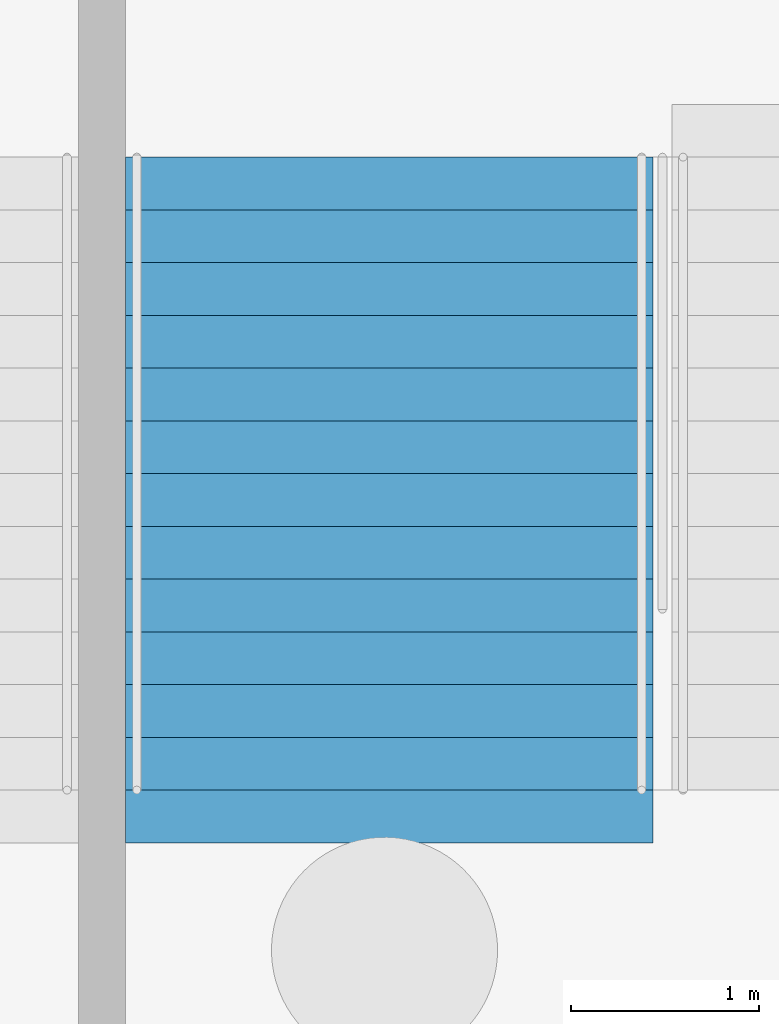
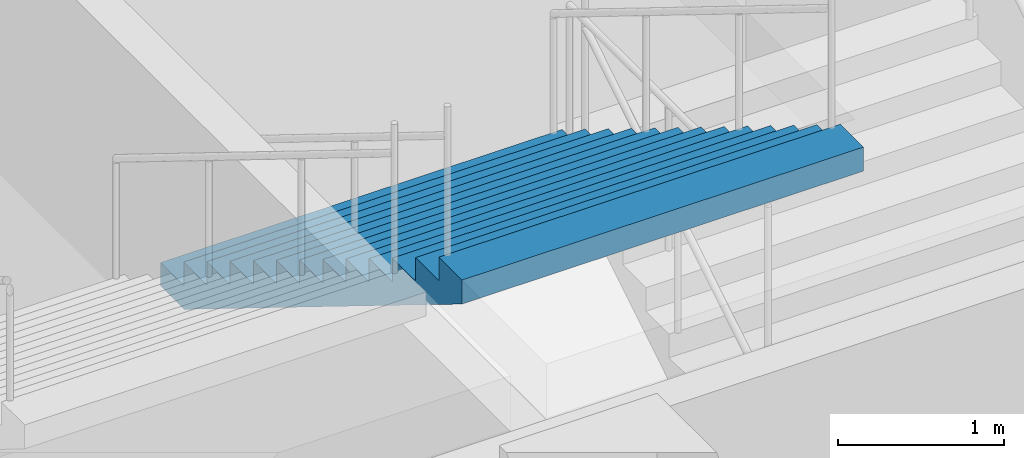
# One storey, part 100 of 115: 1 stair flight, 1 element without a shape of its own.
"""IFC4 building model written with IfcOpenShell, lengths in metres."""

from ifc_helpers import new_model, si_unit, direction, frame, origin, place, context, subcontext, project, spatial, faceted_brep, material, type_object, element, aggregate, save


model = new_model("IFC4")

# Units and contexts
model_context = context("Model", 3, precision=1e-05, world=origin(), true_north=direction((0.0, 1.0)))
body_context = subcontext(model_context, "Body", "Model", "MODEL_VIEW")
ifc_project = project(units=[si_unit("LENGTHUNIT", "METRE"), si_unit("AREAUNIT", "SQUARE_METRE"), si_unit("VOLUMEUNIT", "CUBIC_METRE"), si_unit("PLANEANGLEUNIT", "RADIAN"), si_unit("MASSUNIT", "GRAM", prefix="KILO")], contexts=[model_context])

# Site, building, storey
site_placement = place(None, origin())
site = spatial("IfcSite", under=ifc_project, at=site_placement, CompositionType="ELEMENT")
building_placement = place(site_placement, origin())
building = spatial("IfcBuilding", under=site, at=building_placement, Name="Ogive Plaza Stadium", CompositionType="ELEMENT")
storey_placement = place(building_placement, frame((0.0, 0.0, -4.5)))
storey = spatial("IfcBuildingStorey", under=building, at=storey_placement, Name="B1", CompositionType="ELEMENT", Elevation=-4.5)

# Stair, stair flight
ifc_material_1 = material(Name="Concrete C40/50", Category="concrete")
stair_type = type_object("IfcStairType", Name="Exit stair", PredefinedType="STRAIGHT_RUN_STAIR", material=ifc_material_1)
stair_placement = place(storey_placement, origin())
stair = element("IfcStair", 1, at=stair_placement, inside=storey, type_object=stair_type, Name="Exit stair ST32A B1 to L00", PredefinedType="STRAIGHT_RUN_STAIR")
ifc_material_2 = material(Name="Concrete C40/50", Category="concrete")
stair_flight_type = type_object("IfcStairFlightType", Name="Exit stair flight", PredefinedType="STRAIGHT", material=ifc_material_2)
stair_flight_placement = place(storey_placement, frame((-32.47509765625, 98.2099609375, 2.25), z_axis=(0.0, 0.0, 1.0), x_axis=(0.0, -1.0, 0.0)))
stair_flight = element("IfcStairFlight", 2, at=stair_flight_placement, type_object=stair_flight_type, Name="ST32A flight 2", NumberOfRisers=13, NumberOfTreads=12, PredefinedType="STRAIGHT", RiserHeight=0.173076923, TreadLength=0.28, context=body_context, shape_type="Brep", body=[
    faceted_brep([(0.28515625, -1.39990234375, 0.0), (3.639892578125, -1.39990234375, 2.07373046875), (3.639892578125, -1.39990234375, 2.25), (3.360107421875, -1.39990234375, 2.25), (3.360107421875, -1.39990234375, 2.076904296875), (3.080078125, -1.39990234375, 2.076904296875), (3.080078125, -1.39990234375, 1.90380859375), (2.800048828125, -1.39990234375, 1.90380859375), (2.800048828125, -1.39990234375, 1.730712890625), (2.52001953125, -1.39990234375, 1.730712890625), (2.52001953125, -1.39990234375, 1.5576171875), (2.239990234375, -1.39990234375, 1.5576171875), (2.239990234375, -1.39990234375, 1.384521484375), (1.9599609375, -1.39990234375, 1.384521484375), (1.9599609375, -1.39990234375, 1.21142578125), (1.679931640625, -1.39990234375, 1.21142578125), (1.679931640625, -1.39990234375, 1.03857421875), (1.39990234375, -1.39990234375, 1.03857421875), (1.39990234375, -1.39990234375, 0.865478515625), (1.1201171875, -1.39990234375, 0.865478515625), (1.1201171875, -1.39990234375, 0.6923828125), (0.840087890625, -1.39990234375, 0.6923828125), (0.840087890625, -1.39990234375, 0.519287109375), (0.56005859375, -1.39990234375, 0.519287109375), (0.56005859375, -1.39990234375, 0.34619140625), (0.280029296875, -1.39990234375, 0.34619140625), (0.280029296875, -1.39990234375, 0.173095703125), (0.0, -1.39990234375, 0.173095703125), (0.0, -1.39990234375, 0.0), (0.0, 1.39990234375, 0.0), (0.0, 1.39990234375, 0.173095703125), (0.280029296875, 1.39990234375, 0.173095703125), (0.280029296875, 1.39990234375, 0.34619140625), (0.56005859375, 1.39990234375, 0.34619140625), (0.56005859375, 1.39990234375, 0.519287109375), (0.840087890625, 1.39990234375, 0.519287109375), (0.840087890625, 1.39990234375, 0.6923828125), (1.1201171875, 1.39990234375, 0.6923828125), (1.1201171875, 1.39990234375, 0.865478515625), (1.39990234375, 1.39990234375, 0.865478515625), (1.39990234375, 1.39990234375, 1.03857421875), (1.679931640625, 1.39990234375, 1.03857421875), (1.679931640625, 1.39990234375, 1.21142578125), (1.9599609375, 1.39990234375, 1.21142578125), (1.9599609375, 1.39990234375, 1.384521484375), (2.239990234375, 1.39990234375, 1.384521484375), (2.239990234375, 1.39990234375, 1.5576171875), (2.52001953125, 1.39990234375, 1.5576171875), (2.52001953125, 1.39990234375, 1.730712890625), (2.800048828125, 1.39990234375, 1.730712890625), (2.800048828125, 1.39990234375, 1.90380859375), (3.080078125, 1.39990234375, 1.90380859375), (3.080078125, 1.39990234375, 2.076904296875), (3.360107421875, 1.39990234375, 2.076904296875), (3.360107421875, 1.39990234375, 2.25), (3.639892578125, 1.39990234375, 2.25), (3.639892578125, 1.39990234375, 2.07373046875), (0.28515625, 1.39990234375, 0.0), (0.28515625, -1.0888671875, 0.0), (3.639892578125, -1.0888671875, 2.07373046875), (0.28515625, -0.77783203125, 0.0), (3.639892578125, -0.77783203125, 2.07373046875), (0.28515625, -0.466796875, 0.0), (3.639892578125, -0.466796875, 2.07373046875), (0.28515625, -0.155517578125, 0.0), (3.639892578125, -0.155517578125, 2.07373046875), (0.28515625, 0.155517578125, 0.0), (3.639892578125, 0.155517578125, 2.07373046875), (0.28515625, 0.466796875, 0.0), (3.639892578125, 0.466796875, 2.07373046875), (0.28515625, 0.77783203125, 0.0), (3.639892578125, 0.77783203125, 2.07373046875), (0.28515625, 1.0888671875, 0.0), (3.639892578125, 1.0888671875, 2.07373046875), (3.639892578125, -1.0888671875, 2.25), (3.639892578125, -0.77783203125, 2.25), (3.639892578125, -0.466796875, 2.25), (3.639892578125, -0.155517578125, 2.25), (3.639892578125, 0.155517578125, 2.25), (3.639892578125, 0.466796875, 2.25), (3.639892578125, 0.77783203125, 2.25), (3.639892578125, 1.0888671875, 2.25), (3.360107421875, -1.0888671875, 2.25), (3.360107421875, -0.77783203125, 2.25), (3.360107421875, -0.466796875, 2.25), (3.360107421875, -0.155517578125, 2.25), (3.360107421875, 0.155517578125, 2.25), (3.360107421875, 0.466796875, 2.25), (3.360107421875, 0.77783203125, 2.25), (3.360107421875, 1.0888671875, 2.25), (3.360107421875, -1.0888671875, 2.076904296875), (3.360107421875, -0.77783203125, 2.076904296875), (3.360107421875, -0.466796875, 2.076904296875), (3.360107421875, -0.155517578125, 2.076904296875), (3.360107421875, 0.155517578125, 2.076904296875), (3.360107421875, 0.466796875, 2.076904296875), (3.360107421875, 0.77783203125, 2.076904296875), (3.360107421875, 1.0888671875, 2.076904296875), (3.080078125, -1.0888671875, 2.076904296875), (3.080078125, -0.77783203125, 2.076904296875), (3.080078125, -0.466796875, 2.076904296875), (3.080078125, -0.155517578125, 2.076904296875), (3.080078125, 0.155517578125, 2.076904296875), (3.080078125, 0.466796875, 2.076904296875), (3.080078125, 0.77783203125, 2.076904296875), (3.080078125, 1.0888671875, 2.076904296875), (3.080078125, -1.0888671875, 1.90380859375), (3.080078125, -0.77783203125, 1.90380859375), (3.080078125, -0.466796875, 1.90380859375), (3.080078125, -0.155517578125, 1.90380859375), (3.080078125, 0.155517578125, 1.90380859375), (3.080078125, 0.466796875, 1.90380859375), (3.080078125, 0.77783203125, 1.90380859375), (3.080078125, 1.0888671875, 1.90380859375), (2.800048828125, -1.0888671875, 1.90380859375), (2.800048828125, -0.77783203125, 1.90380859375), (2.800048828125, -0.466796875, 1.90380859375), (2.800048828125, -0.155517578125, 1.90380859375), (2.800048828125, 0.155517578125, 1.90380859375), (2.800048828125, 0.466796875, 1.90380859375), (2.800048828125, 0.77783203125, 1.90380859375), (2.800048828125, 1.0888671875, 1.90380859375), (2.800048828125, -1.0888671875, 1.730712890625), (2.800048828125, -0.77783203125, 1.730712890625), (2.800048828125, -0.466796875, 1.730712890625), (2.800048828125, -0.155517578125, 1.730712890625), (2.800048828125, 0.155517578125, 1.730712890625), (2.800048828125, 0.466796875, 1.730712890625), (2.800048828125, 0.77783203125, 1.730712890625), (2.800048828125, 1.0888671875, 1.730712890625), (2.52001953125, -1.0888671875, 1.730712890625), (2.52001953125, -0.77783203125, 1.730712890625), (2.52001953125, -0.466796875, 1.730712890625), (2.52001953125, -0.155517578125, 1.730712890625), (2.52001953125, 0.155517578125, 1.730712890625), (2.52001953125, 0.466796875, 1.730712890625), (2.52001953125, 0.77783203125, 1.730712890625), (2.52001953125, 1.0888671875, 1.730712890625), (2.52001953125, -1.0888671875, 1.5576171875), (2.52001953125, -0.77783203125, 1.5576171875), (2.52001953125, -0.466796875, 1.5576171875), (2.52001953125, -0.155517578125, 1.5576171875), (2.52001953125, 0.155517578125, 1.5576171875), (2.52001953125, 0.466796875, 1.5576171875), (2.52001953125, 0.77783203125, 1.5576171875), (2.52001953125, 1.0888671875, 1.5576171875), (2.239990234375, -1.0888671875, 1.5576171875), (2.239990234375, -0.77783203125, 1.5576171875), (2.239990234375, -0.466796875, 1.5576171875), (2.239990234375, -0.155517578125, 1.5576171875), (2.239990234375, 0.155517578125, 1.5576171875), (2.239990234375, 0.466796875, 1.5576171875), (2.239990234375, 0.77783203125, 1.5576171875), (2.239990234375, 1.0888671875, 1.5576171875), (2.239990234375, -1.0888671875, 1.384521484375), (2.239990234375, -0.77783203125, 1.384521484375), (2.239990234375, -0.466796875, 1.384521484375), (2.239990234375, -0.155517578125, 1.384521484375), (2.239990234375, 0.155517578125, 1.384521484375), (2.239990234375, 0.466796875, 1.384521484375), (2.239990234375, 0.77783203125, 1.384521484375), (2.239990234375, 1.0888671875, 1.384521484375), (1.9599609375, -1.0888671875, 1.384521484375), (1.9599609375, -0.77783203125, 1.384521484375), (1.9599609375, -0.466796875, 1.384521484375), (1.9599609375, -0.155517578125, 1.384521484375), (1.9599609375, 0.155517578125, 1.384521484375), (1.9599609375, 0.466796875, 1.384521484375), (1.9599609375, 0.77783203125, 1.384521484375), (1.9599609375, 1.0888671875, 1.384521484375), (1.9599609375, -1.0888671875, 1.21142578125), (1.9599609375, -0.77783203125, 1.21142578125), (1.9599609375, -0.466796875, 1.21142578125), (1.9599609375, -0.155517578125, 1.21142578125), (1.9599609375, 0.155517578125, 1.21142578125), (1.9599609375, 0.466796875, 1.21142578125), (1.9599609375, 0.77783203125, 1.21142578125), (1.9599609375, 1.0888671875, 1.21142578125), (1.679931640625, -1.0888671875, 1.21142578125), (1.679931640625, -0.77783203125, 1.21142578125), (1.679931640625, -0.466796875, 1.21142578125), (1.679931640625, -0.155517578125, 1.21142578125), (1.679931640625, 0.155517578125, 1.21142578125), (1.679931640625, 0.466796875, 1.21142578125), (1.679931640625, 0.77783203125, 1.21142578125), (1.679931640625, 1.0888671875, 1.21142578125), (1.679931640625, -1.0888671875, 1.03857421875), (1.679931640625, -0.77783203125, 1.03857421875), (1.679931640625, -0.466796875, 1.03857421875), (1.679931640625, -0.155517578125, 1.03857421875), (1.679931640625, 0.155517578125, 1.03857421875), (1.679931640625, 0.466796875, 1.03857421875), (1.679931640625, 0.77783203125, 1.03857421875), (1.679931640625, 1.0888671875, 1.03857421875), (1.39990234375, -1.0888671875, 1.03857421875), (1.39990234375, -0.77783203125, 1.03857421875), (1.39990234375, -0.466796875, 1.03857421875), (1.39990234375, -0.155517578125, 1.03857421875), (1.39990234375, 0.155517578125, 1.03857421875), (1.39990234375, 0.466796875, 1.03857421875), (1.39990234375, 0.77783203125, 1.03857421875), (1.39990234375, 1.0888671875, 1.03857421875), (1.39990234375, -1.0888671875, 0.865478515625), (1.39990234375, -0.77783203125, 0.865478515625), (1.39990234375, -0.466796875, 0.865478515625), (1.39990234375, -0.155517578125, 0.865478515625), (1.39990234375, 0.155517578125, 0.865478515625), (1.39990234375, 0.466796875, 0.865478515625), (1.39990234375, 0.77783203125, 0.865478515625), (1.39990234375, 1.0888671875, 0.865478515625), (1.1201171875, -1.0888671875, 0.865478515625), (1.1201171875, -0.77783203125, 0.865478515625), (1.1201171875, -0.466796875, 0.865478515625), (1.1201171875, -0.155517578125, 0.865478515625), (1.1201171875, 0.155517578125, 0.865478515625), (1.1201171875, 0.466796875, 0.865478515625), (1.1201171875, 0.77783203125, 0.865478515625), (1.1201171875, 1.0888671875, 0.865478515625), (1.1201171875, -1.0888671875, 0.6923828125), (1.1201171875, -0.77783203125, 0.6923828125), (1.1201171875, -0.466796875, 0.6923828125), (1.1201171875, -0.155517578125, 0.6923828125), (1.1201171875, 0.155517578125, 0.6923828125), (1.1201171875, 0.466796875, 0.6923828125), (1.1201171875, 0.77783203125, 0.6923828125), (1.1201171875, 1.0888671875, 0.6923828125), (0.840087890625, -1.0888671875, 0.6923828125), (0.840087890625, -0.77783203125, 0.6923828125), (0.840087890625, -0.466796875, 0.6923828125), (0.840087890625, -0.155517578125, 0.6923828125), (0.840087890625, 0.155517578125, 0.6923828125), (0.840087890625, 0.466796875, 0.6923828125), (0.840087890625, 0.77783203125, 0.6923828125), (0.840087890625, 1.0888671875, 0.6923828125), (0.840087890625, -1.0888671875, 0.519287109375), (0.840087890625, -0.77783203125, 0.519287109375), (0.840087890625, -0.466796875, 0.519287109375), (0.840087890625, -0.155517578125, 0.519287109375), (0.840087890625, 0.155517578125, 0.519287109375), (0.840087890625, 0.466796875, 0.519287109375), (0.840087890625, 0.77783203125, 0.519287109375), (0.840087890625, 1.0888671875, 0.519287109375), (0.56005859375, -1.0888671875, 0.519287109375), (0.56005859375, -0.77783203125, 0.519287109375), (0.56005859375, -0.466796875, 0.519287109375), (0.56005859375, -0.155517578125, 0.519287109375), (0.56005859375, 0.155517578125, 0.519287109375), (0.56005859375, 0.466796875, 0.519287109375), (0.56005859375, 0.77783203125, 0.519287109375), (0.56005859375, 1.0888671875, 0.519287109375), (0.56005859375, -1.0888671875, 0.34619140625), (0.56005859375, -0.77783203125, 0.34619140625), (0.56005859375, -0.466796875, 0.34619140625), (0.56005859375, -0.155517578125, 0.34619140625), (0.56005859375, 0.155517578125, 0.34619140625), (0.56005859375, 0.466796875, 0.34619140625), (0.56005859375, 0.77783203125, 0.34619140625), (0.56005859375, 1.0888671875, 0.34619140625), (0.280029296875, -1.0888671875, 0.34619140625), (0.280029296875, -0.77783203125, 0.34619140625), (0.280029296875, -0.466796875, 0.34619140625), (0.280029296875, -0.155517578125, 0.34619140625), (0.280029296875, 0.155517578125, 0.34619140625), (0.280029296875, 0.466796875, 0.34619140625), (0.280029296875, 0.77783203125, 0.34619140625), (0.280029296875, 1.0888671875, 0.34619140625), (0.280029296875, -1.0888671875, 0.173095703125), (0.280029296875, -0.77783203125, 0.173095703125), (0.280029296875, -0.466796875, 0.173095703125), (0.280029296875, -0.155517578125, 0.173095703125), (0.280029296875, 0.155517578125, 0.173095703125), (0.280029296875, 0.466796875, 0.173095703125), (0.280029296875, 0.77783203125, 0.173095703125), (0.280029296875, 1.0888671875, 0.173095703125), (0.0, -1.0888671875, 0.173095703125), (0.0, -0.77783203125, 0.173095703125), (0.0, -0.466796875, 0.173095703125), (0.0, -0.155517578125, 0.173095703125), (0.0, 0.155517578125, 0.173095703125), (0.0, 0.466796875, 0.173095703125), (0.0, 0.77783203125, 0.173095703125), (0.0, 1.0888671875, 0.173095703125), (0.0, -1.0888671875, 0.0), (0.0, -0.77783203125, 0.0), (0.0, -0.466796875, 0.0), (0.0, -0.155517578125, 0.0), (0.0, 0.155517578125, 0.0), (0.0, 0.466796875, 0.0), (0.0, 0.77783203125, 0.0), (0.0, 1.0888671875, 0.0)], [[[0, 1, 2, 3, 4, 5, 6, 7, 8, 9, 10, 11, 12, 13, 14, 15, 16, 17, 18, 19, 20, 21, 22, 23, 24, 25, 26, 27, 28]], [[29, 30, 31, 32, 33, 34, 35, 36, 37, 38, 39, 40, 41, 42, 43, 44, 45, 46, 47, 48, 49, 50, 51, 52, 53, 54, 55, 56, 57]], [[0, 58, 59, 1]], [[58, 60, 61, 59]], [[60, 62, 63, 61]], [[62, 64, 65, 63]], [[64, 66, 67, 65]], [[66, 68, 69, 67]], [[68, 70, 71, 69]], [[70, 72, 73, 71]], [[72, 57, 56, 73]], [[1, 59, 74, 2]], [[59, 61, 75, 74]], [[61, 63, 76, 75]], [[63, 65, 77, 76]], [[65, 67, 78, 77]], [[67, 69, 79, 78]], [[69, 71, 80, 79]], [[71, 73, 81, 80]], [[73, 56, 55, 81]], [[2, 74, 82, 3]], [[74, 75, 83, 82]], [[75, 76, 84, 83]], [[76, 77, 85, 84]], [[77, 78, 86, 85]], [[78, 79, 87, 86]], [[79, 80, 88, 87]], [[80, 81, 89, 88]], [[81, 55, 54, 89]], [[3, 82, 90, 4]], [[82, 83, 91, 90]], [[83, 84, 92, 91]], [[84, 85, 93, 92]], [[85, 86, 94, 93]], [[86, 87, 95, 94]], [[87, 88, 96, 95]], [[88, 89, 97, 96]], [[89, 54, 53, 97]], [[4, 90, 98, 5]], [[90, 91, 99, 98]], [[91, 92, 100, 99]], [[92, 93, 101, 100]], [[93, 94, 102, 101]], [[94, 95, 103, 102]], [[95, 96, 104, 103]], [[96, 97, 105, 104]], [[97, 53, 52, 105]], [[5, 98, 106, 6]], [[98, 99, 107, 106]], [[99, 100, 108, 107]], [[100, 101, 109, 108]], [[101, 102, 110, 109]], [[102, 103, 111, 110]], [[103, 104, 112, 111]], [[104, 105, 113, 112]], [[105, 52, 51, 113]], [[6, 106, 114, 7]], [[106, 107, 115, 114]], [[107, 108, 116, 115]], [[108, 109, 117, 116]], [[109, 110, 118, 117]], [[110, 111, 119, 118]], [[111, 112, 120, 119]], [[112, 113, 121, 120]], [[113, 51, 50, 121]], [[7, 114, 122, 8]], [[114, 115, 123, 122]], [[115, 116, 124, 123]], [[116, 117, 125, 124]], [[117, 118, 126, 125]], [[118, 119, 127, 126]], [[119, 120, 128, 127]], [[120, 121, 129, 128]], [[121, 50, 49, 129]], [[8, 122, 130, 9]], [[122, 123, 131, 130]], [[123, 124, 132, 131]], [[124, 125, 133, 132]], [[125, 126, 134, 133]], [[126, 127, 135, 134]], [[127, 128, 136, 135]], [[128, 129, 137, 136]], [[129, 49, 48, 137]], [[9, 130, 138, 10]], [[130, 131, 139, 138]], [[131, 132, 140, 139]], [[132, 133, 141, 140]], [[133, 134, 142, 141]], [[134, 135, 143, 142]], [[135, 136, 144, 143]], [[136, 137, 145, 144]], [[137, 48, 47, 145]], [[10, 138, 146, 11]], [[138, 139, 147, 146]], [[139, 140, 148, 147]], [[140, 141, 149, 148]], [[141, 142, 150, 149]], [[142, 143, 151, 150]], [[143, 144, 152, 151]], [[144, 145, 153, 152]], [[145, 47, 46, 153]], [[11, 146, 154, 12]], [[146, 147, 155, 154]], [[147, 148, 156, 155]], [[148, 149, 157, 156]], [[149, 150, 158, 157]], [[150, 151, 159, 158]], [[151, 152, 160, 159]], [[152, 153, 161, 160]], [[153, 46, 45, 161]], [[12, 154, 162, 13]], [[154, 155, 163, 162]], [[155, 156, 164, 163]], [[156, 157, 165, 164]], [[157, 158, 166, 165]], [[158, 159, 167, 166]], [[159, 160, 168, 167]], [[160, 161, 169, 168]], [[161, 45, 44, 169]], [[13, 162, 170, 14]], [[162, 163, 171, 170]], [[163, 164, 172, 171]], [[164, 165, 173, 172]], [[165, 166, 174, 173]], [[166, 167, 175, 174]], [[167, 168, 176, 175]], [[168, 169, 177, 176]], [[169, 44, 43, 177]], [[14, 170, 178, 15]], [[170, 171, 179, 178]], [[171, 172, 180, 179]], [[172, 173, 181, 180]], [[173, 174, 182, 181]], [[174, 175, 183, 182]], [[175, 176, 184, 183]], [[176, 177, 185, 184]], [[177, 43, 42, 185]], [[15, 178, 186, 16]], [[178, 179, 187, 186]], [[179, 180, 188, 187]], [[180, 181, 189, 188]], [[181, 182, 190, 189]], [[182, 183, 191, 190]], [[183, 184, 192, 191]], [[184, 185, 193, 192]], [[185, 42, 41, 193]], [[16, 186, 194, 17]], [[186, 187, 195, 194]], [[187, 188, 196, 195]], [[188, 189, 197, 196]], [[189, 190, 198, 197]], [[190, 191, 199, 198]], [[191, 192, 200, 199]], [[192, 193, 201, 200]], [[193, 41, 40, 201]], [[17, 194, 202, 18]], [[194, 195, 203, 202]], [[195, 196, 204, 203]], [[196, 197, 205, 204]], [[197, 198, 206, 205]], [[198, 199, 207, 206]], [[199, 200, 208, 207]], [[200, 201, 209, 208]], [[201, 40, 39, 209]], [[18, 202, 210, 19]], [[202, 203, 211, 210]], [[203, 204, 212, 211]], [[204, 205, 213, 212]], [[205, 206, 214, 213]], [[206, 207, 215, 214]], [[207, 208, 216, 215]], [[208, 209, 217, 216]], [[209, 39, 38, 217]], [[19, 210, 218, 20]], [[210, 211, 219, 218]], [[211, 212, 220, 219]], [[212, 213, 221, 220]], [[213, 214, 222, 221]], [[214, 215, 223, 222]], [[215, 216, 224, 223]], [[216, 217, 225, 224]], [[217, 38, 37, 225]], [[20, 218, 226, 21]], [[218, 219, 227, 226]], [[219, 220, 228, 227]], [[220, 221, 229, 228]], [[221, 222, 230, 229]], [[222, 223, 231, 230]], [[223, 224, 232, 231]], [[224, 225, 233, 232]], [[225, 37, 36, 233]], [[21, 226, 234, 22]], [[226, 227, 235, 234]], [[227, 228, 236, 235]], [[228, 229, 237, 236]], [[229, 230, 238, 237]], [[230, 231, 239, 238]], [[231, 232, 240, 239]], [[232, 233, 241, 240]], [[233, 36, 35, 241]], [[22, 234, 242, 23]], [[234, 235, 243, 242]], [[235, 236, 244, 243]], [[236, 237, 245, 244]], [[237, 238, 246, 245]], [[238, 239, 247, 246]], [[239, 240, 248, 247]], [[240, 241, 249, 248]], [[241, 35, 34, 249]], [[23, 242, 250, 24]], [[242, 243, 251, 250]], [[243, 244, 252, 251]], [[244, 245, 253, 252]], [[245, 246, 254, 253]], [[246, 247, 255, 254]], [[247, 248, 256, 255]], [[248, 249, 257, 256]], [[249, 34, 33, 257]], [[24, 250, 258, 25]], [[250, 251, 259, 258]], [[251, 252, 260, 259]], [[252, 253, 261, 260]], [[253, 254, 262, 261]], [[254, 255, 263, 262]], [[255, 256, 264, 263]], [[256, 257, 265, 264]], [[257, 33, 32, 265]], [[25, 258, 266, 26]], [[258, 259, 267, 266]], [[259, 260, 268, 267]], [[260, 261, 269, 268]], [[261, 262, 270, 269]], [[262, 263, 271, 270]], [[263, 264, 272, 271]], [[264, 265, 273, 272]], [[265, 32, 31, 273]], [[26, 266, 274, 27]], [[266, 267, 275, 274]], [[267, 268, 276, 275]], [[268, 269, 277, 276]], [[269, 270, 278, 277]], [[270, 271, 279, 278]], [[271, 272, 280, 279]], [[272, 273, 281, 280]], [[273, 31, 30, 281]], [[27, 274, 282, 28]], [[274, 275, 283, 282]], [[275, 276, 284, 283]], [[276, 277, 285, 284]], [[277, 278, 286, 285]], [[278, 279, 287, 286]], [[279, 280, 288, 287]], [[280, 281, 289, 288]], [[281, 30, 29, 289]], [[28, 282, 58, 0]], [[282, 283, 60, 58]], [[283, 284, 62, 60]], [[284, 285, 64, 62]], [[285, 286, 66, 64]], [[286, 287, 68, 66]], [[287, 288, 70, 68]], [[288, 289, 72, 70]], [[289, 29, 57, 72]]]),
])
aggregate(stair, [stair_flight])

save(model, "model.ifc")
